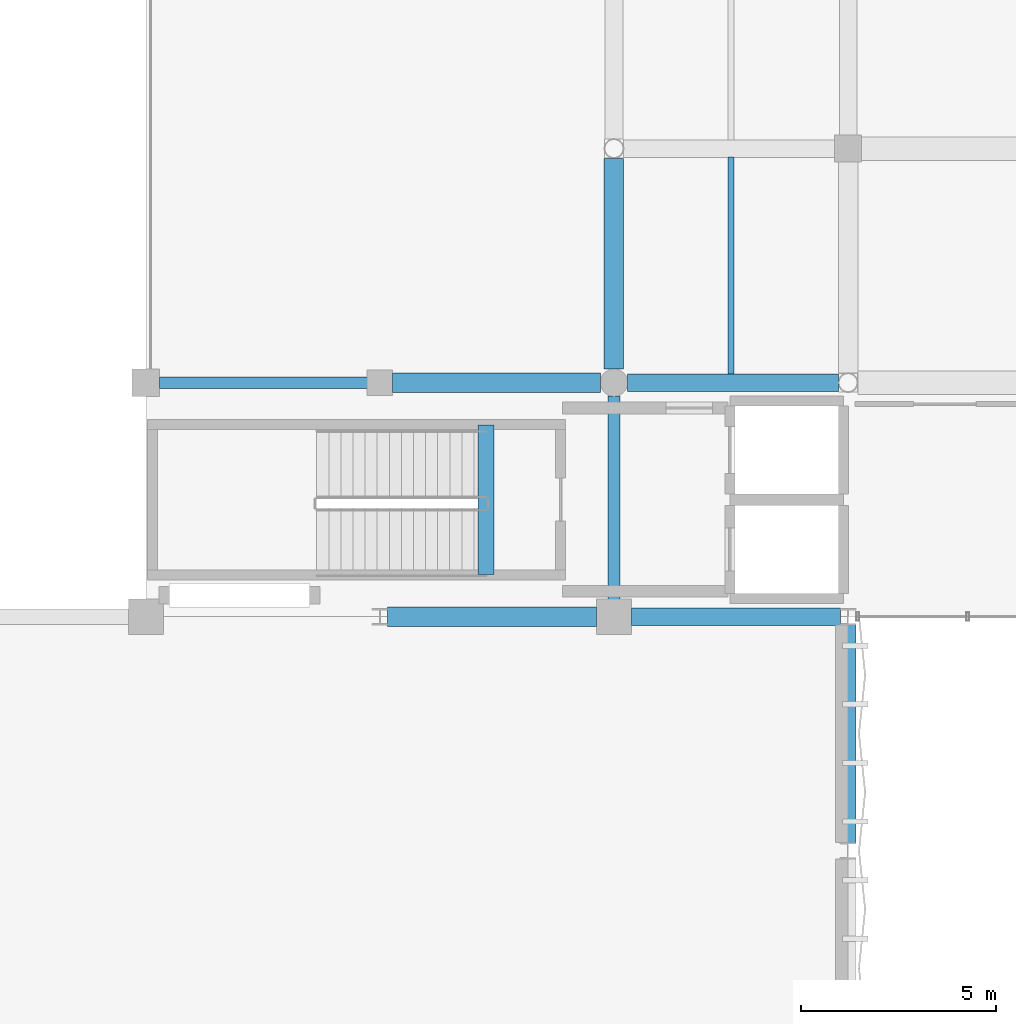
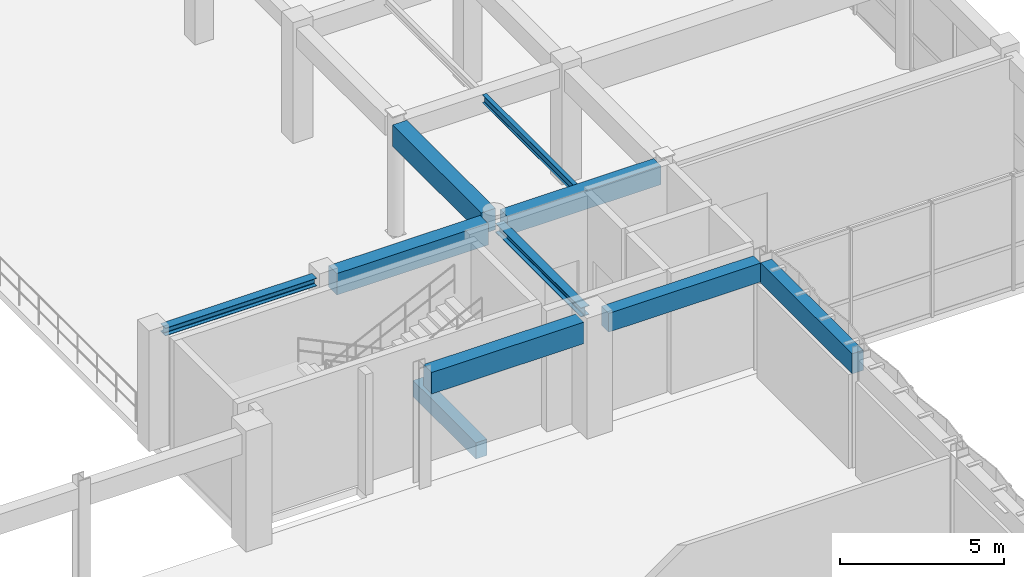
# One storey, part 49 of 116: 10 beams.
"""IFC4 building model written with IfcOpenShell, lengths in metres."""

from ifc_helpers import new_model, si_unit, direction, frame, origin, origin_2d, place, context, subcontext, project, spatial, rectangle, i_section, extrude, material, material_profile, profile_set, type_object, element, save


model = new_model("IFC4")

# Units and contexts
model_context = context("Model", 3, precision=1e-05, world=origin(), true_north=direction((0.0, 1.0)))
body_context = subcontext(model_context, "Body", "Model", "MODEL_VIEW")
ifc_project = project(units=[si_unit("LENGTHUNIT", "METRE"), si_unit("AREAUNIT", "SQUARE_METRE"), si_unit("VOLUMEUNIT", "CUBIC_METRE"), si_unit("PLANEANGLEUNIT", "RADIAN"), si_unit("MASSUNIT", "GRAM", prefix="KILO"), si_unit("THERMODYNAMICTEMPERATUREUNIT", "KELVIN"), si_unit("POWERUNIT", "WATT")], contexts=[model_context])

# Site, building, storey
site_placement = place(None, origin())
site = spatial("IfcSite", under=ifc_project, at=site_placement, CompositionType="ELEMENT")
building_placement = place(site_placement, origin())
building = spatial("IfcBuilding", under=site, at=building_placement, Name="Phaisarnlok Congress Hotel", CompositionType="ELEMENT")
storey_placement = place(building_placement, frame((0.0, 0.0, 10.5)))
storey = spatial("IfcBuildingStorey", under=building, at=storey_placement, Name="L02", CompositionType="ELEMENT", Elevation=10.5)

# Beams
ifc_material_1 = material(Name="Concrete C40/50", Category="concrete")
ifc_material_profile_1 = material_profile(ifc_material_1, rectangle(XDim=0.39990234375, YDim=0.60009765625, at=origin_2d()), Name="RC 400x600")
ifc_profile_set_1 = profile_set([ifc_material_profile_1], Name="Concrete C40/50")
beam_type_1 = type_object("IfcBeamType", Name="BM-RC-400x600", PredefinedType="BEAM", material=ifc_profile_set_1)
beam_1_placement = place(storey_placement, frame((134.719970703125, 37.080078125, -0.300048828125), z_axis=(0.0, 1.0, 0.0), x_axis=(-1.0, 0.0, 0.0)))
element("IfcBeam", 1, at=beam_1_placement, inside=storey, type_object=beam_type_1, Name="Stair landing header beam B-02 (CORE-6 L02)", PredefinedType="BEAM", context=body_context, shape_type="SweptSolid", body=[
    extrude(rectangle(XDim=0.39990234375, YDim=0.60009765625, at=origin_2d()), origin(), (0.0, 0.0, 1.0), 3.83984375),
])
ifc_material_profile_2 = material_profile(ifc_material_1, rectangle(XDim=0.449951171875, YDim=0.699951171875, at=origin_2d()), Name="RC 450x700")
ifc_profile_set_2 = profile_set([ifc_material_profile_2], Name="Concrete C40/50")
beam_type_2 = type_object("IfcBeamType", Name="BM-RC-450x700", PredefinedType="BEAM", material=ifc_profile_set_2)
beam_2_placement = place(storey_placement, frame((138.445068359375, 36.0, 3.889892578125), z_axis=(1.0, 0.0, 0.0), x_axis=(0.0, 1.0, 0.0)))
element("IfcBeam", 2, at=beam_2_placement, inside=storey, type_object=beam_type_2, Name="Beam B-03", PredefinedType="BEAM", context=body_context, shape_type="SweptSolid", body=[
    extrude(rectangle(XDim=0.449951171875, YDim=0.699951171875, at=origin_2d()), origin(), (0.0, 0.0, 1.0), 5.35693359375),
])
beam_3_placement = place(storey_placement, frame((138.344970703125, 42.0, 3.889892578125), z_axis=(1.0, 0.0, 0.0), x_axis=(0.0, 1.0, 0.0)))
element("IfcBeam", 3, at=beam_3_placement, inside=storey, type_object=beam_type_2, Name="Beam B-03", PredefinedType="BEAM", context=body_context, shape_type="SweptSolid", body=[
    extrude(rectangle(XDim=0.449951171875, YDim=0.699951171875, at=origin_2d()), origin(), (0.0, 0.0, 1.0), 5.406005859375),
])
ifc_material_profile_3 = material_profile(ifc_material_1, rectangle(XDim=0.5, YDim=0.800048828125, at=origin_2d()), Name="RC 500x800")
ifc_profile_set_3 = profile_set([ifc_material_profile_3], Name="Concrete C40/50")
beam_type_3 = type_object("IfcBeamType", Name="BM-RC-500x800", PredefinedType="BEAM", material=ifc_profile_set_3)
beam_4_placement = place(storey_placement, frame((132.197998046875, 36.0, 3.840087890625), z_axis=(1.0, 0.0, 0.0), x_axis=(0.0, 1.0, 0.0)))
element("IfcBeam", 4, at=beam_4_placement, inside=storey, type_object=beam_type_3, Name="Beam B-04", PredefinedType="BEAM", context=body_context, shape_type="SweptSolid", body=[
    extrude(rectangle(XDim=0.5, YDim=0.800048828125, at=origin_2d()), origin(), (0.0, 0.0, 1.0), 5.35693359375),
])
beam_5_placement = place(storey_placement, frame((132.320068359375, 42.0, 3.840087890625), z_axis=(1.0, 0.0, 0.0), x_axis=(0.0, 1.0, 0.0)))
element("IfcBeam", 5, at=beam_5_placement, inside=storey, type_object=beam_type_3, Name="Beam B-04", PredefinedType="BEAM", context=body_context, shape_type="SweptSolid", body=[
    extrude(rectangle(XDim=0.5, YDim=0.800048828125, at=origin_2d()), origin(), (0.0, 0.0, 1.0), 5.3349609375),
])
beam_6_placement = place(storey_placement, frame((138.0, 42.344970703125, 3.840087890625), z_axis=(0.0, 1.0, 0.0), x_axis=(-1.0, 0.0, 0.0)))
element("IfcBeam", 6, at=beam_6_placement, inside=storey, type_object=beam_type_3, Name="Beam B-04", PredefinedType="BEAM", context=body_context, shape_type="SweptSolid", body=[
    extrude(rectangle(XDim=0.5, YDim=0.800048828125, at=origin_2d()), origin(), (0.0, 0.0, 1.0), 5.406005859375),
])
ifc_material_2 = material(Name="Steel S355", Category="steel")
ifc_material_profile_4 = material_profile(ifc_material_2, i_section(OverallWidth=0.300048828125, OverallDepth=0.2900390625, WebThickness=0.008544921875, FlangeThickness=0.013916015625, FilletRadius=0.027099609375, at=origin_2d()), Name="HEA 300")
ifc_profile_set_4 = profile_set([ifc_material_profile_4], Name="Steel S355")
beam_type_4 = type_object("IfcBeamType", Name="BM-STL-HEA300", PredefinedType="BEAM", material=ifc_profile_set_4)
beam_7_placement = place(storey_placement, frame((126.344970703125, 42.0, 4.094970703125), z_axis=(1.0, 0.0, 0.0), x_axis=(0.0, 1.0, 0.0)))
element("IfcBeam", 7, at=beam_7_placement, inside=storey, type_object=beam_type_4, Name="Beam SB-05", PredefinedType="BEAM", context=body_context, shape_type="SweptSolid", body=[
    extrude(i_section(OverallWidth=0.300048828125, OverallDepth=0.2900390625, WebThickness=0.008544921875, FlangeThickness=0.013916015625, FilletRadius=0.027099609375, at=origin_2d()), origin(), (0.0, 0.0, 1.0), 5.3349609375),
])
ifc_material_profile_5 = material_profile(ifc_material_2, i_section(OverallWidth=0.300048828125, OverallDepth=0.340087890625, WebThickness=0.011962890625, FlangeThickness=0.021484375, FilletRadius=0.027099609375, at=origin_2d()), Name="HEB 340")
ifc_profile_set_5 = profile_set([ifc_material_profile_5], Name="Steel S355")
beam_type_5 = type_object("IfcBeamType", Name="BM-STL-HEB340", PredefinedType="BEAM", material=ifc_profile_set_5)
beam_8_placement = place(storey_placement, frame((138.0, 36.445068359375, 4.070068359375), z_axis=(0.0, 1.0, 0.0), x_axis=(-1.0, 0.0, 0.0)))
element("IfcBeam", 8, at=beam_8_placement, inside=storey, type_object=beam_type_5, Name="Beam SB-07", PredefinedType="BEAM", context=body_context, shape_type="SweptSolid", body=[
    extrude(i_section(OverallWidth=0.300048828125, OverallDepth=0.340087890625, WebThickness=0.011962890625, FlangeThickness=0.021484375, FilletRadius=0.027099609375, at=origin_2d()), origin(), (0.0, 0.0, 1.0), 5.2099609375),
])
ifc_material_profile_6 = material_profile(ifc_material_2, i_section(OverallWidth=0.14990234375, OverallDepth=0.300048828125, WebThickness=0.007080078125, FlangeThickness=0.0107421875, FilletRadius=0.014892578125, at=origin_2d()), Name="IPE 300")
ifc_profile_set_6 = profile_set([ifc_material_profile_6], Name="Steel S355")
beam_type_6 = type_object("IfcBeamType", Name="JS-STL-IPE300", PredefinedType="JOIST", material=ifc_profile_set_6)
beam_9_placement = place(storey_placement, frame((141.0, 42.219970703125, 4.090087890625), z_axis=(0.0, 1.0, 0.0), x_axis=(-1.0, 0.0, 0.0)))
element("IfcBeam", 9, at=beam_9_placement, inside=storey, type_object=beam_type_6, Name="Secondary floor joist J-03", PredefinedType="JOIST", context=body_context, shape_type="SweptSolid", body=[
    extrude(i_section(OverallWidth=0.14990234375, OverallDepth=0.300048828125, WebThickness=0.007080078125, FlangeThickness=0.0107421875, FilletRadius=0.014892578125, at=origin_2d()), origin(), (0.0, 0.0, 1.0), 5.56005859375),
])
ifc_material_profile_7 = material_profile(ifc_material_1, rectangle(XDim=0.39990234375, YDim=0.75, at=origin_2d()), Name="RC 400x750")
ifc_profile_set_7 = profile_set([ifc_material_profile_7], Name="Concrete C40/50")
beam_type_7 = type_object("IfcBeamType", Name="SP-RC-400x750", PredefinedType="SPANDREL", material=ifc_profile_set_7)
beam_10_placement = place(storey_placement, frame((144.0, 30.202880859375, 3.864990234375), z_axis=(0.0, 1.0, 0.0), x_axis=(-1.0, 0.0, 0.0)))
element("IfcBeam", 10, at=beam_10_placement, inside=storey, type_object=beam_type_7, Name="Beam SP-02", PredefinedType="SPANDREL", context=body_context, shape_type="SweptSolid", body=[
    extrude(rectangle(XDim=0.39990234375, YDim=0.75, at=origin_2d()), origin(), (0.0, 0.0, 1.0), 5.59423828125),
])

save(model, "model.ifc")
